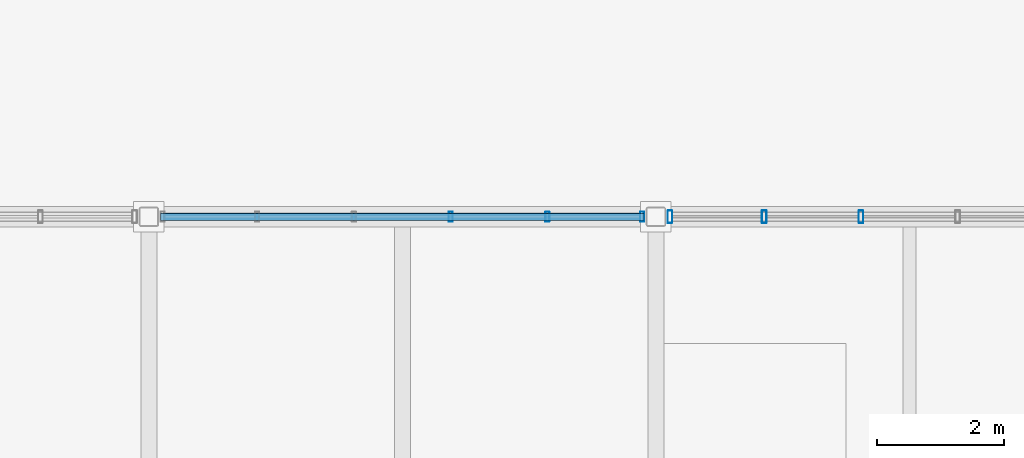
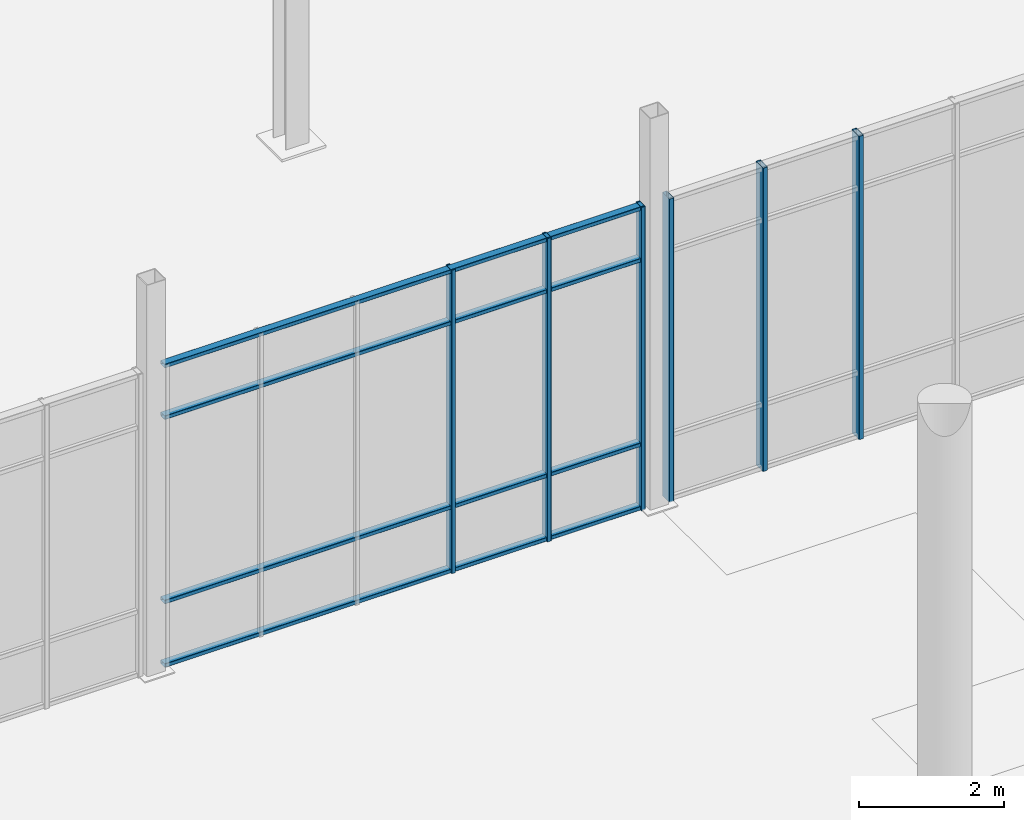
# One storey, part 39 of 140: 10 members, 2 elements without a shape of their own.
"""IFC4 building model written with IfcOpenShell, lengths in metres."""

from ifc_helpers import new_model, si_unit, direction, frame, origin, origin_2d, place, context, subcontext, project, spatial, hollow_rectangle, extrude, material, material_profile, profile_set, type_object, element, aggregate, save


model = new_model("IFC4")

# Units and contexts
model_context = context("Model", 3, precision=1e-05, world=origin(), true_north=direction((0.0, 1.0)))
body_context = subcontext(model_context, "Body", "Model", "MODEL_VIEW")
ifc_project = project(units=[si_unit("LENGTHUNIT", "METRE"), si_unit("AREAUNIT", "SQUARE_METRE"), si_unit("VOLUMEUNIT", "CUBIC_METRE"), si_unit("PLANEANGLEUNIT", "RADIAN"), si_unit("MASSUNIT", "GRAM", prefix="KILO")], contexts=[model_context])

# Site, building, storey
site_placement = place(None, origin())
site = spatial("IfcSite", under=ifc_project, at=site_placement, CompositionType="ELEMENT")
building_placement = place(site_placement, origin())
building = spatial("IfcBuilding", under=site, at=building_placement, Name="Verrall Gate Interchange", CompositionType="ELEMENT")
storey_placement = place(building_placement, origin())
storey = spatial("IfcBuildingStorey", under=building, at=storey_placement, Name="L01", CompositionType="ELEMENT", Elevation=0.0)

# Curtain wall, members
ifc_material_1 = material(Name="Thermally Broken Anodized Aluminium Curtain Wall Framing", Category="aluminium")
curtain_wall_type = type_object("IfcCurtainWallType", Name="CW-06 Unitized Curtain Wall 7631x5100", PredefinedType="NOTDEFINED", material=ifc_material_1)
curtain_wall_1_placement = place(storey_placement, origin())
curtain_wall_1 = element("IfcCurtainWall", 1, at=curtain_wall_1_placement, inside=storey, type_object=curtain_wall_type, Name="L01 Unitized Curtain Wall CW-L01-018", PredefinedType="NOTDEFINED")
ifc_material_2 = material(Name="Thermally Broken Anodized Aluminium Curtain Wall Framing", Category="aluminium")
ifc_material_profile_1 = material_profile(ifc_material_2, hollow_rectangle(XDim=0.06494140625, YDim=0.159912109375, WallThickness=0.00390625, InnerFilletRadius=0.00390625, OuterFilletRadius=0.008056640625, at=origin_2d()), Name="CWM160x65x4")
ifc_profile_set_1 = profile_set([ifc_material_profile_1], Name="Thermally Broken Anodized Aluminium Curtain Wall Framing")
member_type_1 = type_object("IfcMemberType", Name="CM-01 Curtain Mullion CWM160x65x4", PredefinedType="MULLION", material=ifc_profile_set_1)
member_1_placement = place(storey_placement, frame((83.782958984375, 56.0, 0.0), z_axis=(0.0, 0.0, 1.0), x_axis=(-1.0, 0.0, 0.0)))
member_1 = element("IfcMember", 2, at=member_1_placement, type_object=member_type_1, Name="CW-L01-018 Mullion 1", PredefinedType="MULLION", context=body_context, shape_type="SweptSolid", body=[
    extrude(hollow_rectangle(XDim=0.06494140625, YDim=0.159912109375, WallThickness=0.00390625, InnerFilletRadius=0.00390625, OuterFilletRadius=0.008056640625, at=origin_2d()), origin(), (0.0, 0.0, 1.0), 5.10009765625),
])
member_2_placement = place(storey_placement, frame((82.289306640625, 56.0, 0.0), z_axis=(0.0, 0.0, 1.0), x_axis=(-1.0, 0.0, 0.0)))
member_2 = element("IfcMember", 3, at=member_2_placement, type_object=member_type_1, Name="CW-L01-018 Mullion 2", PredefinedType="MULLION", context=body_context, shape_type="SweptSolid", body=[
    extrude(hollow_rectangle(XDim=0.06494140625, YDim=0.159912109375, WallThickness=0.00390625, InnerFilletRadius=0.00390625, OuterFilletRadius=0.008056640625, at=origin_2d()), origin(), (0.0, 0.0, 1.0), 5.10009765625),
])
member_3_placement = place(storey_placement, frame((80.76318359375, 56.0, 0.0), z_axis=(0.0, 0.0, 1.0), x_axis=(-1.0, 0.0, 0.0)))
member_3 = element("IfcMember", 4, at=member_3_placement, type_object=member_type_1, Name="CW-L01-018 Mullion 3", PredefinedType="MULLION", context=body_context, shape_type="SweptSolid", body=[
    extrude(hollow_rectangle(XDim=0.06494140625, YDim=0.159912109375, WallThickness=0.00390625, InnerFilletRadius=0.00390625, OuterFilletRadius=0.008056640625, at=origin_2d()), origin(), (0.0, 0.0, 1.0), 5.10009765625),
])

curtain_wall_2_placement = place(storey_placement, origin())
curtain_wall_2 = element("IfcCurtainWall", 5, at=curtain_wall_2_placement, inside=storey, type_object=curtain_wall_type, Name="L01 Unitized Curtain Wall CW-L01-017", PredefinedType="NOTDEFINED")
ifc_material_3 = material(Name="Thermally Broken Anodized Aluminium Curtain Wall Framing", Category="aluminium")
ifc_material_profile_2 = material_profile(ifc_material_3, hollow_rectangle(XDim=0.074951171875, YDim=0.199951171875, WallThickness=0.0048828125, InnerFilletRadius=0.0048828125, OuterFilletRadius=0.010009765625, at=origin_2d()), Name="CWM200x75x5")
ifc_profile_set_2 = profile_set([ifc_material_profile_2], Name="Thermally Broken Anodized Aluminium Curtain Wall Framing")
member_type_2 = type_object("IfcMemberType", Name="CM-02 Curtain Mullion CWM200x75x5", PredefinedType="MULLION", material=ifc_profile_set_2)
member_4_placement = place(storey_placement, frame((87.23681640625, 56.0, 0.0), z_axis=(0.0, 0.0, 1.0), x_axis=(-1.0, 0.0, 0.0)))
member_4 = element("IfcMember", 6, at=member_4_placement, type_object=member_type_2, Name="CW-L01-017 Mullion 4", PredefinedType="MULLION", context=body_context, shape_type="SweptSolid", body=[
    extrude(hollow_rectangle(XDim=0.074951171875, YDim=0.199951171875, WallThickness=0.0048828125, InnerFilletRadius=0.0048828125, OuterFilletRadius=0.010009765625, at=origin_2d()), origin(), (0.0, 0.0, 1.0), 5.10009765625),
])
member_5_placement = place(storey_placement, frame((85.710693359375, 56.0, 0.0), z_axis=(0.0, 0.0, 1.0), x_axis=(-1.0, 0.0, 0.0)))
member_5 = element("IfcMember", 7, at=member_5_placement, type_object=member_type_2, Name="CW-L01-017 Mullion 5", PredefinedType="MULLION", context=body_context, shape_type="SweptSolid", body=[
    extrude(hollow_rectangle(XDim=0.074951171875, YDim=0.199951171875, WallThickness=0.0048828125, InnerFilletRadius=0.0048828125, OuterFilletRadius=0.010009765625, at=origin_2d()), origin(), (0.0, 0.0, 1.0), 5.10009765625),
])
member_6_placement = place(storey_placement, frame((84.221923828125, 56.0, 0.0), z_axis=(0.0, 0.0, 1.0), x_axis=(-1.0, 0.0, 0.0)))
member_6 = element("IfcMember", 8, at=member_6_placement, type_object=member_type_2, Name="CW-L01-017 Mullion 6", PredefinedType="MULLION", context=body_context, shape_type="SweptSolid", body=[
    extrude(hollow_rectangle(XDim=0.074951171875, YDim=0.199951171875, WallThickness=0.0048828125, InnerFilletRadius=0.0048828125, OuterFilletRadius=0.010009765625, at=origin_2d()), origin(), (0.0, 0.0, 1.0), 5.10009765625),
])
aggregate(curtain_wall_2, [member_4, member_5, member_6])

# Member
ifc_material_4 = material(Name="Thermally Broken Anodized Aluminium Curtain Wall Framing", Category="aluminium")
ifc_material_profile_3 = material_profile(ifc_material_4, hollow_rectangle(XDim=0.1201171875, YDim=0.06494140625, WallThickness=0.00390625, InnerFilletRadius=0.00390625, OuterFilletRadius=0.008056640625, at=origin_2d()), Name="CWT120x65x4")
ifc_profile_set_3 = profile_set([ifc_material_profile_3], Name="Thermally Broken Anodized Aluminium Curtain Wall Framing")
member_type_3 = type_object("IfcMemberType", Name="CT-01 Curtain Transom CWT120x65x4", PredefinedType="USERDEFINED", material=ifc_profile_set_3)
member_7_placement = place(storey_placement, frame((83.8154296875, 56.0, 0.032470703125), z_axis=(-1.0, 0.0, 0.0), x_axis=(0.0, -1.0, 0.0)))
member_7 = element("IfcMember", 9, at=member_7_placement, type_object=member_type_3, Name="CW-L01-018 Transom 1", ObjectType="TRANSOM", PredefinedType="USERDEFINED", context=body_context, shape_type="SweptSolid", body=[
    extrude(hollow_rectangle(XDim=0.1201171875, YDim=0.06494140625, WallThickness=0.00390625, InnerFilletRadius=0.00390625, OuterFilletRadius=0.008056640625, at=origin_2d()), origin(), (0.0, 0.0, 1.0), 7.630859375),
])

member_8_placement = place(storey_placement, frame((83.8154296875, 56.0, 1.10009765625), z_axis=(-1.0, 0.0, 0.0), x_axis=(0.0, -1.0, 0.0)))
member_8 = element("IfcMember", 10, at=member_8_placement, type_object=member_type_3, Name="CW-L01-018 Transom 2", ObjectType="TRANSOM", PredefinedType="USERDEFINED", context=body_context, shape_type="SweptSolid", body=[
    extrude(hollow_rectangle(XDim=0.1201171875, YDim=0.06494140625, WallThickness=0.00390625, InnerFilletRadius=0.00390625, OuterFilletRadius=0.008056640625, at=origin_2d()), origin(), (0.0, 0.0, 1.0), 7.630859375),
])

member_9_placement = place(storey_placement, frame((83.8154296875, 56.0, 4.199951171875), z_axis=(-1.0, 0.0, 0.0), x_axis=(0.0, -1.0, 0.0)))
member_9 = element("IfcMember", 11, at=member_9_placement, type_object=member_type_3, Name="CW-L01-018 Transom 3", ObjectType="TRANSOM", PredefinedType="USERDEFINED", context=body_context, shape_type="SweptSolid", body=[
    extrude(hollow_rectangle(XDim=0.1201171875, YDim=0.06494140625, WallThickness=0.00390625, InnerFilletRadius=0.00390625, OuterFilletRadius=0.008056640625, at=origin_2d()), origin(), (0.0, 0.0, 1.0), 7.630859375),
])

member_10_placement = place(storey_placement, frame((83.8154296875, 56.0, 5.0673828125), z_axis=(-1.0, 0.0, 0.0), x_axis=(0.0, -1.0, 0.0)))
member_10 = element("IfcMember", 12, at=member_10_placement, type_object=member_type_3, Name="CW-L01-018 Transom 4", ObjectType="TRANSOM", PredefinedType="USERDEFINED", context=body_context, shape_type="SweptSolid", body=[
    extrude(hollow_rectangle(XDim=0.1201171875, YDim=0.06494140625, WallThickness=0.00390625, InnerFilletRadius=0.00390625, OuterFilletRadius=0.008056640625, at=origin_2d()), origin(), (0.0, 0.0, 1.0), 7.630859375),
])

aggregate(curtain_wall_1, [member_1, member_2, member_3, member_7, member_8, member_9, member_10])

save(model, "model.ifc")
